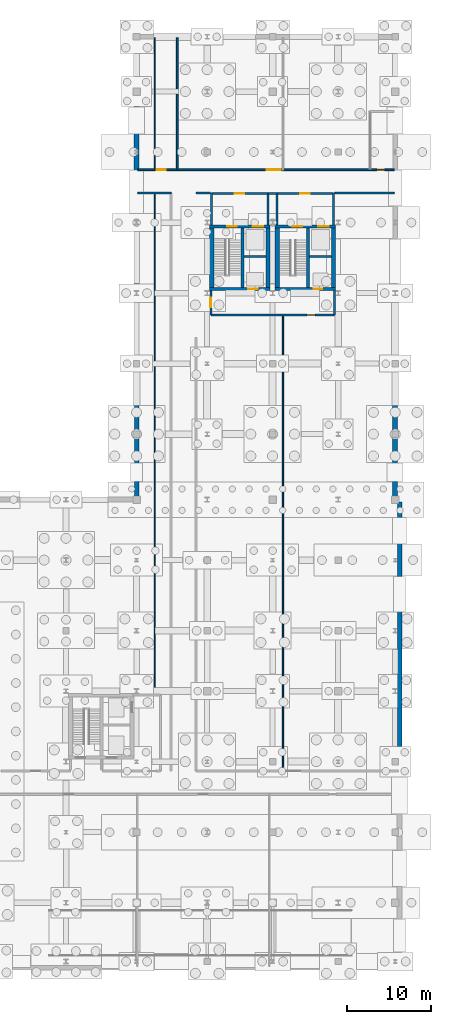
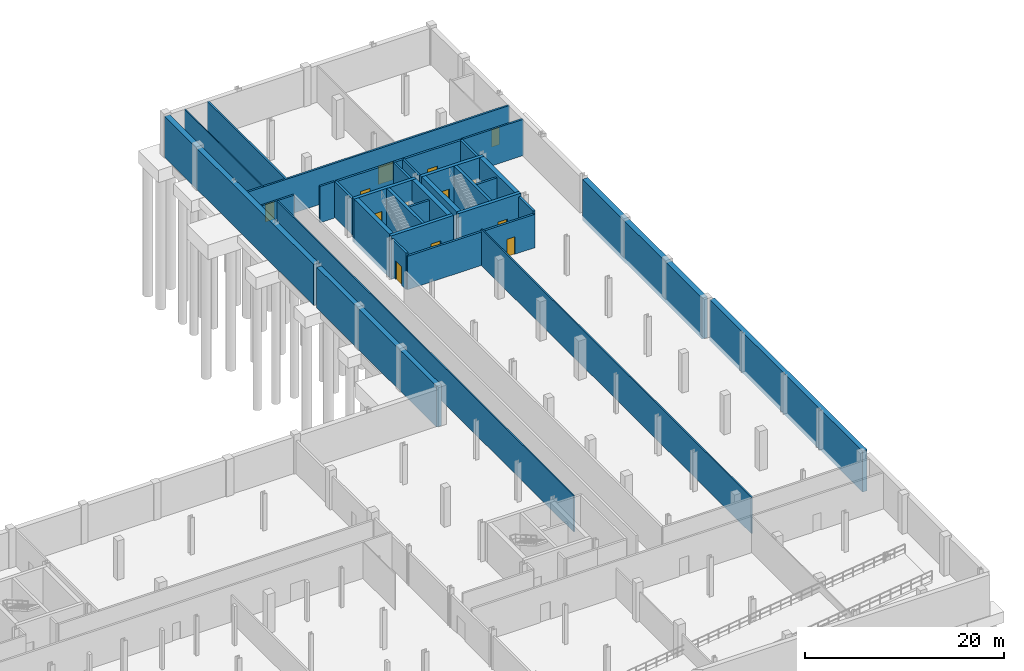
# One storey, part 26 of 32: 34 walls, 13 doors, 13 openings.
"""IFC4 building model written with IfcOpenShell, lengths in metres."""

from ifc_helpers import new_model, si_unit, direction, frame, frame_2d, origin_with_axes, place, context, subcontext, project, spatial, rectangle, extrude, material, layer, layer_set, type_object, element, fill, save


model = new_model("IFC4")

# Units and contexts
model_context = context("Model", 3, precision=1e-05, world=origin_with_axes(), true_north=direction((0.0, 1.0)))
body_context = subcontext(model_context, "Body", "Model", "MODEL_VIEW")
ifc_project = project(units=[si_unit("LENGTHUNIT", "METRE"), si_unit("AREAUNIT", "SQUARE_METRE"), si_unit("VOLUMEUNIT", "CUBIC_METRE"), si_unit("PLANEANGLEUNIT", "RADIAN"), si_unit("MASSUNIT", "GRAM", prefix="KILO"), si_unit("THERMODYNAMICTEMPERATUREUNIT", "KELVIN")], contexts=[model_context])

# Site, building, storey
site_placement = place(None, origin_with_axes())
site = spatial("IfcSite", under=ifc_project, at=site_placement, CompositionType="ELEMENT")
building_placement = place(site_placement, origin_with_axes())
building = spatial("IfcBuilding", under=site, at=building_placement, Name="Montbau Bow Law Courts", CompositionType="ELEMENT")
storey_placement = place(building_placement, frame((0.0, 0.0, -4.8), z_axis=(0.0, 0.0, 1.0), x_axis=(1.0, 0.0, 0.0)))
storey = spatial("IfcBuildingStorey", under=building, at=storey_placement, Name="B1", CompositionType="ELEMENT", Elevation=-4.8)

# Walls
ifc_material_1 = material(Name="Concrete CSA A23.1 f'c 45 MPa", Category="concrete")
ifc_layer_1 = layer(ifc_material_1, 0.5, Name="Shear Wall", Category="concrete")
ifc_layer_set_1 = layer_set([ifc_layer_1], Name="Concrete CSA A23.1 f'c 45 MPa")
wall_type_1 = type_object("IfcWallType", Name="W-COR-01", PredefinedType="SHEAR", material=ifc_layer_set_1)
for number, where, z_axis, x_axis, name in (
    (1, (154.26, 87.07, -5.35), (0.0, 0.0, 1.0), (0.0, 1.0, 0.0), "WC-B1-0261:wal_0328"),
    (2, (147.54, 94.13, -5.35), (0.0, 0.0, 1.0), (0.0, -1.0, 0.0), "WC-B1-0262:wal_0329"),
    (3, (162.06, 87.07, -5.35), (0.0, 0.0, 1.0), (0.0, 1.0, 0.0), "WC-B1-0379:wal_0446"),
    (4, (155.34, 94.13, -5.35), (0.0, 0.0, 1.0), (0.0, -1.0, 0.0), "WC-B1-0380:wal_0447"),
):
    element("IfcWall", number, at=place(None, frame(where, z_axis=z_axis, x_axis=x_axis)), inside=storey, type_object=wall_type_1, Name=name, PredefinedType="SHEAR", context=body_context, shape_type="SweptSolid", body=[
        extrude(rectangle(XDim=7.060000000000002, YDim=0.5, at=frame_2d((3.53, 0.0), x_axis=(1.0, 0.0))), origin_with_axes(), (0.0, 0.0, 1.0), 5.35),
    ])

# Wall, opening, door
ifc_layer_2 = layer(ifc_material_1, 0.38, Name="Shear Wall", Category="concrete")
ifc_layer_set_2 = layer_set([ifc_layer_2], Name="Concrete CSA A23.1 f'c 45 MPa")
wall_type_2 = type_object("IfcWallType", Name="W-COR-04", PredefinedType="SHEAR", material=ifc_layer_set_2)
wall_1_placement = place(None, frame((147.29, 86.88, -5.35), z_axis=(0.0, 0.0, 1.0), x_axis=(1.0, 0.0, 0.0)))
wall_1 = element("IfcWall", 5, at=wall_1_placement, inside=storey, type_object=wall_type_2, Name="WC-B1-0259:wal_0326", PredefinedType="SHEAR", context=body_context, shape_type="SweptSolid", body=[
    extrude(rectangle(XDim=7.219999999999999, YDim=0.38, at=frame_2d((3.61, 0.0), x_axis=(1.0, 0.0))), origin_with_axes(), (0.0, 0.0, 1.0), 5.35),
])
opening_1_placement = place(None, frame((152.45, 86.88, -4.8), z_axis=(0.0, 0.0, 1.0), x_axis=(1.0, 0.0, 0.0)))
opening_1 = element("IfcOpeningElement", 6, at=opening_1_placement, cuts=wall_1, Name="OP-LD-B1-EL-P4", PredefinedType="OPENING", context=body_context, shape_type="SweptSolid", body=[
    extrude(rectangle(XDim=1.16, YDim=2.2, at=frame_2d((0.0, 1.1), x_axis=(1.0, 0.0))), frame((0.0, 0.2, 0.0), z_axis=(0.0, -1.0, 0.0), x_axis=(1.0, 0.0, 0.0)), (0.0, 0.0, 1.0), 0.4),
])
ifc_material_2 = material(Name="Brushed Stainless Steel Elevator Landing Door", Category="steel")
door_type_1 = type_object("IfcDoorType", Name="LD-PUB-01", OperationType="NOTDEFINED", ParameterTakesPrecedence=False, PredefinedType="DOOR", material=ifc_material_2)
door_1_placement = place(None, frame((152.45, 86.88, -4.8), z_axis=(0.0, 0.0, 1.0), x_axis=(-1.0, 0.0, 0.0)))
door_1 = element("IfcDoor", 7, at=door_1_placement, inside=storey, type_object=door_type_1, Name="LD-B1-EL-P4:dor_0136", OperationType="SLIDING_TO_LEFT", OverallHeight=2.2, OverallWidth=1.16, PredefinedType="DOOR", context=body_context, shape_type="SweptSolid", body=[
    extrude(rectangle(XDim=1.16, YDim=2.2, at=frame_2d((0.0, 1.1), x_axis=(1.0, 0.0))), frame((0.0, 0.04, 0.0), z_axis=(0.0, -1.0, 0.0), x_axis=(1.0, 0.0, 0.0)), (0.0, 0.0, 1.0), 0.08),
])
fill(opening_1, door_1)

# Wall, openings, doors
wall_2_placement = place(None, frame((154.51, 94.32, -5.35), z_axis=(0.0, 0.0, 1.0), x_axis=(-1.0, 0.0, 0.0)))
wall_2 = element("IfcWall", 8, at=wall_2_placement, inside=storey, type_object=wall_type_2, Name="WC-B1-0260:wal_0327", PredefinedType="SHEAR", context=body_context, shape_type="SweptSolid", body=[
    extrude(rectangle(XDim=7.219999999999999, YDim=0.38, at=frame_2d((3.61, 0.0), x_axis=(1.0, 0.0))), origin_with_axes(), (0.0, 0.0, 1.0), 5.35),
])
opening_2_placement = place(None, frame((149.95, 94.32, -4.8), z_axis=(0.0, 0.0, 1.0), x_axis=(-1.0, 0.0, 0.0)))
opening_2 = element("IfcOpeningElement", 9, at=opening_2_placement, cuts=wall_2, Name="OP-D-B1-ST-P2", PredefinedType="OPENING", context=body_context, shape_type="SweptSolid", body=[
    extrude(rectangle(XDim=1.14, YDim=2.18, at=frame_2d((0.0, 1.09), x_axis=(1.0, 0.0))), frame((0.0, 0.2, 0.0), z_axis=(0.0, -1.0, 0.0), x_axis=(1.0, 0.0, 0.0)), (0.0, 0.0, 1.0), 0.4),
])
opening_3_placement = place(None, frame((153.05, 94.32, -4.8), z_axis=(0.0, 0.0, 1.0), x_axis=(-1.0, 0.0, 0.0)))
opening_3 = element("IfcOpeningElement", 10, at=opening_3_placement, cuts=wall_2, Name="OP-LD-B1-EL-FF1", PredefinedType="OPENING", context=body_context, shape_type="SweptSolid", body=[
    extrude(rectangle(XDim=1.22, YDim=2.28, at=frame_2d((0.0, 1.14), x_axis=(1.0, 0.0))), frame((0.0, 0.2, 0.0), z_axis=(0.0, -1.0, 0.0), x_axis=(1.0, 0.0, 0.0)), (0.0, 0.0, 1.0), 0.4),
])
ifc_material_3 = material(Name="1.5 h Fire-Rated Hollow-Metal Exit Stair Door", Category="steel")
door_type_2 = type_object("IfcDoorType", Name="D-ST-01", OperationType="NOTDEFINED", ParameterTakesPrecedence=False, PredefinedType="DOOR", material=ifc_material_3)
door_2_placement = place(None, frame((149.95, 94.32, -4.8), z_axis=(0.0, 0.0, 1.0), x_axis=(1.0, 0.0, 0.0)))
door_2 = element("IfcDoor", 11, at=door_2_placement, inside=storey, type_object=door_type_2, Name="D-B1-ST-P2:dor_0134", OperationType="SINGLE_SWING_RIGHT", OverallHeight=2.18, OverallWidth=1.14, PredefinedType="DOOR", context=body_context, shape_type="SweptSolid", body=[
    extrude(rectangle(XDim=1.14, YDim=2.18, at=frame_2d((0.0, 1.09), x_axis=(1.0, 0.0))), frame((0.0, 0.04, 0.0), z_axis=(0.0, -1.0, 0.0), x_axis=(1.0, 0.0, 0.0)), (0.0, 0.0, 1.0), 0.08),
])
fill(opening_2, door_2)
ifc_material_4 = material(Name="CSA B44 Firefighters Elevator Landing Door", Category="steel")
door_type_3 = type_object("IfcDoorType", Name="LD-FFE-01", OperationType="NOTDEFINED", ParameterTakesPrecedence=False, PredefinedType="DOOR", material=ifc_material_4)
door_3_placement = place(None, frame((153.05, 94.32, -4.8), z_axis=(0.0, 0.0, 1.0), x_axis=(1.0, 0.0, 0.0)))
door_3 = element("IfcDoor", 12, at=door_3_placement, inside=storey, type_object=door_type_3, Name="LD-B1-EL-FF1:dor_0135", OperationType="SLIDING_TO_LEFT", OverallHeight=2.28, OverallWidth=1.22, PredefinedType="DOOR", context=body_context, shape_type="SweptSolid", body=[
    extrude(rectangle(XDim=1.22, YDim=2.28, at=frame_2d((0.0, 1.14), x_axis=(1.0, 0.0))), frame((0.0, 0.04, 0.0), z_axis=(0.0, -1.0, 0.0), x_axis=(1.0, 0.0, 0.0)), (0.0, 0.0, 1.0), 0.08),
])
fill(opening_3, door_3)

# Wall, opening, door
wall_3_placement = place(None, frame((155.09, 86.88, -5.35), z_axis=(0.0, 0.0, 1.0), x_axis=(1.0, 0.0, 0.0)))
wall_3 = element("IfcWall", 13, at=wall_3_placement, inside=storey, type_object=wall_type_2, Name="WC-B1-0377:wal_0444", PredefinedType="SHEAR", context=body_context, shape_type="SweptSolid", body=[
    extrude(rectangle(XDim=7.219999999999999, YDim=0.38, at=frame_2d((3.61, 0.0), x_axis=(1.0, 0.0))), origin_with_axes(), (0.0, 0.0, 1.0), 5.35),
])
opening_4_placement = place(None, frame((160.2, 86.88, -4.8), z_axis=(0.0, 0.0, 1.0), x_axis=(1.0, 0.0, 0.0)))
opening_4 = element("IfcOpeningElement", 14, at=opening_4_placement, cuts=wall_3, Name="OP-LD-B1-EL-J2", PredefinedType="OPENING", context=body_context, shape_type="SweptSolid", body=[
    extrude(rectangle(XDim=1.06, YDim=2.16, at=frame_2d((0.0, 1.08), x_axis=(1.0, 0.0))), frame((0.0, 0.2, 0.0), z_axis=(0.0, -1.0, 0.0), x_axis=(1.0, 0.0, 0.0)), (0.0, 0.0, 1.0), 0.4),
])
ifc_material_5 = material(Name="Bronze-Clad Judicial Elevator Landing Door", Category="steel")
door_type_4 = type_object("IfcDoorType", Name="LD-JUD-01", OperationType="NOTDEFINED", ParameterTakesPrecedence=False, PredefinedType="DOOR", material=ifc_material_5)
door_4_placement = place(None, frame((160.2, 86.88, -4.8), z_axis=(0.0, 0.0, 1.0), x_axis=(-1.0, 0.0, 0.0)))
door_4 = element("IfcDoor", 15, at=door_4_placement, inside=storey, type_object=door_type_4, Name="LD-B1-EL-J2:dor_0179", OperationType="SLIDING_TO_LEFT", OverallHeight=2.16, OverallWidth=1.06, PredefinedType="DOOR", context=body_context, shape_type="SweptSolid", body=[
    extrude(rectangle(XDim=1.06, YDim=2.16, at=frame_2d((0.0, 1.08), x_axis=(1.0, 0.0))), frame((0.0, 0.04, 0.0), z_axis=(0.0, -1.0, 0.0), x_axis=(1.0, 0.0, 0.0)), (0.0, 0.0, 1.0), 0.08),
])
fill(opening_4, door_4)

# Wall, openings, doors
wall_4_placement = place(None, frame((162.31, 94.32, -5.35), z_axis=(0.0, 0.0, 1.0), x_axis=(-1.0, 0.0, 0.0)))
wall_4 = element("IfcWall", 16, at=wall_4_placement, inside=storey, type_object=wall_type_2, Name="WC-B1-0378:wal_0445", PredefinedType="SHEAR", context=body_context, shape_type="SweptSolid", body=[
    extrude(rectangle(XDim=7.219999999999999, YDim=0.38, at=frame_2d((3.61, 0.0), x_axis=(1.0, 0.0))), origin_with_axes(), (0.0, 0.0, 1.0), 5.35),
])
opening_5_placement = place(None, frame((157.75, 94.32, -4.8), z_axis=(0.0, 0.0, 1.0), x_axis=(-1.0, 0.0, 0.0)))
opening_5 = element("IfcOpeningElement", 17, at=opening_5_placement, cuts=wall_4, Name="OP-D-B1-ST-J2", PredefinedType="OPENING", context=body_context, shape_type="SweptSolid", body=[
    extrude(rectangle(XDim=1.14, YDim=2.18, at=frame_2d((0.0, 1.09), x_axis=(1.0, 0.0))), frame((0.0, 0.2, 0.0), z_axis=(0.0, -1.0, 0.0), x_axis=(1.0, 0.0, 0.0)), (0.0, 0.0, 1.0), 0.4),
])
opening_6_placement = place(None, frame((160.85, 94.32, -4.8), z_axis=(0.0, 0.0, 1.0), x_axis=(-1.0, 0.0, 0.0)))
opening_6 = element("IfcOpeningElement", 18, at=opening_6_placement, cuts=wall_4, Name="OP-LD-B1-EL-FF2", PredefinedType="OPENING", context=body_context, shape_type="SweptSolid", body=[
    extrude(rectangle(XDim=1.22, YDim=2.28, at=frame_2d((0.0, 1.14), x_axis=(1.0, 0.0))), frame((0.0, 0.2, 0.0), z_axis=(0.0, -1.0, 0.0), x_axis=(1.0, 0.0, 0.0)), (0.0, 0.0, 1.0), 0.4),
])
door_5_placement = place(None, frame((157.75, 94.32, -4.8), z_axis=(0.0, 0.0, 1.0), x_axis=(1.0, 0.0, 0.0)))
door_5 = element("IfcDoor", 19, at=door_5_placement, inside=storey, type_object=door_type_2, Name="D-B1-ST-J2:dor_0177", OperationType="SINGLE_SWING_LEFT", OverallHeight=2.18, OverallWidth=1.14, PredefinedType="DOOR", context=body_context, shape_type="SweptSolid", body=[
    extrude(rectangle(XDim=1.14, YDim=2.18, at=frame_2d((0.0, 1.09), x_axis=(1.0, 0.0))), frame((0.0, 0.04, 0.0), z_axis=(0.0, -1.0, 0.0), x_axis=(1.0, 0.0, 0.0)), (0.0, 0.0, 1.0), 0.08),
])
fill(opening_5, door_5)
door_6_placement = place(None, frame((160.85, 94.32, -4.8), z_axis=(0.0, 0.0, 1.0), x_axis=(1.0, 0.0, 0.0)))
door_6 = element("IfcDoor", 20, at=door_6_placement, inside=storey, type_object=door_type_3, Name="LD-B1-EL-FF2:dor_0178", OperationType="SLIDING_TO_LEFT", OverallHeight=2.28, OverallWidth=1.22, PredefinedType="DOOR", context=body_context, shape_type="SweptSolid", body=[
    extrude(rectangle(XDim=1.22, YDim=2.28, at=frame_2d((0.0, 1.14), x_axis=(1.0, 0.0))), frame((0.0, 0.04, 0.0), z_axis=(0.0, -1.0, 0.0), x_axis=(1.0, 0.0, 0.0)), (0.0, 0.0, 1.0), 0.08),
])
fill(opening_6, door_6)

# Walls
ifc_layer_3 = layer(ifc_material_1, 0.32, Name="Shear Wall", Category="concrete")
ifc_layer_set_3 = layer_set([ifc_layer_3], Name="Concrete CSA A23.1 f'c 45 MPa")
wall_type_3 = type_object("IfcWallType", Name="W-COR-05", PredefinedType="SHEAR", material=ifc_layer_set_3)
for number, where, z_axis, x_axis, name in (
    (21, (151.22, 87.07, -5.35), (0.0, 0.0, 1.0), (0.0, 1.0, 0.0), "WS-B1-0263:wal_0330"),
    (22, (159.02, 87.07, -5.35), (0.0, 0.0, 1.0), (0.0, 1.0, 0.0), "WS-B1-0381:wal_0448"),
):
    element("IfcWall", number, at=place(None, frame(where, z_axis=z_axis, x_axis=x_axis)), inside=storey, type_object=wall_type_3, Name=name, PredefinedType="SHEAR", context=body_context, shape_type="SweptSolid", body=[
        extrude(rectangle(XDim=7.060000000000002, YDim=0.32, at=frame_2d((3.53, 0.0), x_axis=(1.0, 0.0))), origin_with_axes(), (0.0, 0.0, 1.0), 5.35),
    ])
ifc_material_6 = material(Name="2 h Shaft and Exit-Passage Fire Separation Partition", Category="gypsum")
ifc_layer_4 = layer(ifc_material_6, 0.25, Name="Partition", Category="gypsum")
ifc_layer_set_4 = layer_set([ifc_layer_4], Name="2 h Shaft and Exit-Passage Fire Separation Partition")
wall_type_4 = type_object("IfcWallType", Name="W-PRT-01", PredefinedType="PARTITIONING", material=ifc_layer_set_4)
wall_5_placement = place(None, frame((151.38, 90.749, -4.8), z_axis=(0.0, 0.0, 1.0), x_axis=(1.0, 0.0, 0.0)))
element("IfcWall", 23, at=wall_5_placement, inside=storey, type_object=wall_type_4, Name="WS-B1-0264:wal_0331", PredefinedType="PARTITIONING", context=body_context, shape_type="SweptSolid", body=[
    extrude(rectangle(XDim=2.6299999999999955, YDim=0.25, at=frame_2d((1.315, 0.0), x_axis=(1.0, 0.0))), origin_with_axes(), (0.0, 0.0, 1.0), 4.44),
])

# Wall, opening, door
wall_6_placement = place(None, frame((154.26, 98.25, -4.8), z_axis=(0.0, 0.0, 1.0), x_axis=(-1.0, 0.0, 0.0)))
wall_6 = element("IfcWall", 24, at=wall_6_placement, inside=storey, type_object=wall_type_4, Name="WFF-B1-0265:wal_0332", PredefinedType="PARTITIONING", context=body_context, shape_type="SweptSolid", body=[
    extrude(rectangle(XDim=6.719999999999999, YDim=0.25, at=frame_2d((3.36, 0.0), x_axis=(1.0, 0.0))), origin_with_axes(), (0.0, 0.0, 1.0), 4.44),
])
opening_7_placement = place(None, frame((150.875, 98.25, -4.8), z_axis=(0.0, 0.0, 1.0), x_axis=(-1.0, 0.0, 0.0)))
opening_7 = element("IfcOpeningElement", 25, at=opening_7_placement, cuts=wall_6, Name="OP-D-B1-FFL5", PredefinedType="OPENING", context=body_context, shape_type="SweptSolid", body=[
    extrude(rectangle(XDim=1.15, YDim=2.25, at=frame_2d((0.0, 1.125), x_axis=(1.0, 0.0))), frame((0.0, 0.135, 0.0), z_axis=(0.0, -1.0, 0.0), x_axis=(1.0, 0.0, 0.0)), (0.0, 0.0, 1.0), 0.27),
])
ifc_material_7 = material(Name="1.5 h Smoke-Sealed Firefighters Lobby Door", Category="steel")
door_type_5 = type_object("IfcDoorType", Name="D-FFL-01", OperationType="NOTDEFINED", ParameterTakesPrecedence=False, PredefinedType="DOOR", material=ifc_material_7)
door_7_placement = place(None, frame((150.875, 98.25, -4.8), z_axis=(0.0, 0.0, 1.0), x_axis=(1.0, 0.0, 0.0)))
door_7 = element("IfcDoor", 26, at=door_7_placement, inside=storey, type_object=door_type_5, Name="D-B1-FFL5:dor_0137", OperationType="SINGLE_SWING_LEFT", OverallHeight=2.25, OverallWidth=1.15, PredefinedType="DOOR", context=body_context, shape_type="SweptSolid", body=[
    extrude(rectangle(XDim=1.15, YDim=2.25, at=frame_2d((0.0, 1.125), x_axis=(1.0, 0.0))), frame((0.0, 0.04, 0.0), z_axis=(0.0, -1.0, 0.0), x_axis=(1.0, 0.0, 0.0)), (0.0, 0.0, 1.0), 0.08),
])
fill(opening_7, door_7)

# Walls
for number, where, z_axis, x_axis, name in (
    (27, (147.54, 94.5, -4.8), (0.0, 0.0, 1.0), (0.0, 1.0, 0.0), "WFF-B1-0266:wal_0333"),
    (28, (154.26, 94.5, -4.8), (0.0, 0.0, 1.0), (0.0, 1.0, 0.0), "WFF-B1-0267:wal_0334"),
):
    element("IfcWall", number, at=place(None, frame(where, z_axis=z_axis, x_axis=x_axis)), inside=storey, type_object=wall_type_4, Name=name, PredefinedType="PARTITIONING", context=body_context, shape_type="SweptSolid", body=[
        extrude(rectangle(XDim=3.75, YDim=0.25, at=frame_2d((1.875, 0.0), x_axis=(1.0, 0.0))), origin_with_axes(), (0.0, 0.0, 1.0), 4.44),
    ])

# Wall, opening, door
wall_7_placement = place(None, frame((147.44, 83.78, -4.8), z_axis=(0.0, 0.0, 1.0), x_axis=(1.0, 0.0, 0.0)))
wall_7 = element("IfcWall", 29, at=wall_7_placement, inside=storey, type_object=wall_type_4, Name="WEL-B1-0268:wal_0335", PredefinedType="PARTITIONING", context=body_context, shape_type="SweptSolid", body=[
    extrude(rectangle(XDim=14.719999999999999, YDim=0.25, at=frame_2d((7.36, 0.0), x_axis=(1.0, 0.0))), origin_with_axes(), (0.0, 0.0, 1.0), 4.1),
])
opening_8_placement = place(None, frame((159.382, 83.78, -4.8), z_axis=(0.0, 0.0, 1.0), x_axis=(1.0, 0.0, 0.0)))
opening_8 = element("IfcOpeningElement", 30, at=opening_8_placement, cuts=wall_7, Name="OP-D-SEC-413", PredefinedType="OPENING", context=body_context, shape_type="SweptSolid", body=[
    extrude(rectangle(XDim=0.92, YDim=2.14, at=frame_2d((0.0, 1.07), x_axis=(1.0, 0.0))), frame((0.0, 0.135, 0.0), z_axis=(0.0, -1.0, 0.0), x_axis=(1.0, 0.0, 0.0)), (0.0, 0.0, 1.0), 0.27),
])
ifc_material_8 = material(Name="Judicial Law Clerk and Registry Office Oak Door", Category="wood")
door_type_6 = type_object("IfcDoorType", Name="D-OFF-01", OperationType="NOTDEFINED", ParameterTakesPrecedence=False, PredefinedType="DOOR", material=ifc_material_8)
door_8_placement = place(None, frame((159.382, 83.78, -4.8), z_axis=(0.0, 0.0, 1.0), x_axis=(1.0, 0.0, 0.0)))
door_8 = element("IfcDoor", 31, at=door_8_placement, inside=storey, type_object=door_type_6, Name="D-SEC-413:dor_0448", OperationType="SINGLE_SWING_RIGHT", OverallHeight=2.14, OverallWidth=0.92, PredefinedType="DOOR", context=body_context, shape_type="SweptSolid", body=[
    extrude(rectangle(XDim=0.92, YDim=2.14, at=frame_2d((0.0, 1.07), x_axis=(1.0, 0.0))), frame((0.0, 0.04, 0.0), z_axis=(0.0, -1.0, 0.0), x_axis=(1.0, 0.0, 0.0)), (0.0, 0.0, 1.0), 0.08),
])
fill(opening_8, door_8)

# Wall
wall_8_placement = place(None, frame((162.16, 83.78, -4.8), z_axis=(0.0, 0.0, 1.0), x_axis=(0.0, 1.0, 0.0)))
element("IfcWall", 32, at=wall_8_placement, inside=storey, type_object=wall_type_4, Name="WEL-B1-0269:wal_0336", PredefinedType="PARTITIONING", context=body_context, shape_type="SweptSolid", body=[
    extrude(rectangle(XDim=2.9200000000000017, YDim=0.25, at=frame_2d((1.46, 0.0), x_axis=(1.0, 0.0))), origin_with_axes(), (0.0, 0.0, 1.0), 4.44),
])

# Wall, opening, door
wall_9_placement = place(None, frame((147.44, 86.7, -4.8), z_axis=(0.0, 0.0, 1.0), x_axis=(0.0, -1.0, 0.0)))
wall_9 = element("IfcWall", 33, at=wall_9_placement, inside=storey, type_object=wall_type_4, Name="WEL-B1-0270:wal_0337", PredefinedType="PARTITIONING", context=body_context, shape_type="SweptSolid", body=[
    extrude(rectangle(XDim=2.9200000000000017, YDim=0.25, at=frame_2d((1.46, 0.0), x_axis=(1.0, 0.0))), origin_with_axes(), (0.0, 0.0, 1.0), 4.44),
])
opening_9_placement = place(None, frame((147.44, 85.275, -4.8), z_axis=(0.0, 0.0, 1.0), x_axis=(0.0, -1.0, 0.0)))
opening_9 = element("IfcOpeningElement", 34, at=opening_9_placement, cuts=wall_9, Name="OP-D-B1-ELB-NE", PredefinedType="OPENING", context=body_context, shape_type="SweptSolid", body=[
    extrude(rectangle(XDim=1.15, YDim=2.25, at=frame_2d((0.0, 1.125), x_axis=(1.0, 0.0))), frame((0.0, 0.135, 0.0), z_axis=(0.0, -1.0, 0.0), x_axis=(1.0, 0.0, 0.0)), (0.0, 0.0, 1.0), 0.27),
])
door_9_placement = place(None, frame((147.44, 85.275, -4.8), z_axis=(0.0, 0.0, 1.0), x_axis=(0.0, -1.0, 0.0)))
door_9 = element("IfcDoor", 35, at=door_9_placement, inside=storey, type_object=door_type_5, Name="D-B1-ELB-NE:dor_0138", OperationType="SINGLE_SWING_RIGHT", OverallHeight=2.25, OverallWidth=1.15, PredefinedType="DOOR", context=body_context, shape_type="SweptSolid", body=[
    extrude(rectangle(XDim=1.15, YDim=2.25, at=frame_2d((0.0, 1.125), x_axis=(1.0, 0.0))), frame((0.0, 0.04, 0.0), z_axis=(0.0, -1.0, 0.0), x_axis=(1.0, 0.0, 0.0)), (0.0, 0.0, 1.0), 0.08),
])
fill(opening_9, door_9)

# Wall
wall_10_placement = place(None, frame((159.18, 90.749, -4.8), z_axis=(0.0, 0.0, 1.0), x_axis=(1.0, 0.0, 0.0)))
element("IfcWall", 36, at=wall_10_placement, inside=storey, type_object=wall_type_4, Name="WS-B1-0382:wal_0449", PredefinedType="PARTITIONING", context=body_context, shape_type="SweptSolid", body=[
    extrude(rectangle(XDim=2.6299999999999955, YDim=0.25, at=frame_2d((1.315, 0.0), x_axis=(1.0, 0.0))), origin_with_axes(), (0.0, 0.0, 1.0), 4.44),
])

# Wall, opening, door
wall_11_placement = place(None, frame((162.06, 98.25, -4.8), z_axis=(0.0, 0.0, 1.0), x_axis=(-1.0, 0.0, 0.0)))
wall_11 = element("IfcWall", 37, at=wall_11_placement, inside=storey, type_object=wall_type_4, Name="WFF-B1-0383:wal_0450", PredefinedType="PARTITIONING", context=body_context, shape_type="SweptSolid", body=[
    extrude(rectangle(XDim=6.719999999999999, YDim=0.25, at=frame_2d((3.36, 0.0), x_axis=(1.0, 0.0))), origin_with_axes(), (0.0, 0.0, 1.0), 4.44),
])
opening_10_placement = place(None, frame((158.675, 98.25, -4.8), z_axis=(0.0, 0.0, 1.0), x_axis=(-1.0, 0.0, 0.0)))
opening_10 = element("IfcOpeningElement", 38, at=opening_10_placement, cuts=wall_11, Name="OP-D-B1-FFL6", PredefinedType="OPENING", context=body_context, shape_type="SweptSolid", body=[
    extrude(rectangle(XDim=1.15, YDim=2.25, at=frame_2d((0.0, 1.125), x_axis=(1.0, 0.0))), frame((0.0, 0.135, 0.0), z_axis=(0.0, -1.0, 0.0), x_axis=(1.0, 0.0, 0.0)), (0.0, 0.0, 1.0), 0.27),
])
door_10_placement = place(None, frame((158.675, 98.25, -4.8), z_axis=(0.0, 0.0, 1.0), x_axis=(1.0, 0.0, 0.0)))
door_10 = element("IfcDoor", 39, at=door_10_placement, inside=storey, type_object=door_type_5, Name="D-B1-FFL6:dor_0180", OperationType="SINGLE_SWING_RIGHT", OverallHeight=2.25, OverallWidth=1.15, PredefinedType="DOOR", context=body_context, shape_type="SweptSolid", body=[
    extrude(rectangle(XDim=1.15, YDim=2.25, at=frame_2d((0.0, 1.125), x_axis=(1.0, 0.0))), frame((0.0, 0.04, 0.0), z_axis=(0.0, -1.0, 0.0), x_axis=(1.0, 0.0, 0.0)), (0.0, 0.0, 1.0), 0.08),
])
fill(opening_10, door_10)

# Walls
for number, where, z_axis, x_axis, name in (
    (40, (155.34, 94.5, -4.8), (0.0, 0.0, 1.0), (0.0, 1.0, 0.0), "WFF-B1-0384:wal_0451"),
    (41, (162.06, 94.5, -4.8), (0.0, 0.0, 1.0), (0.0, 1.0, 0.0), "WFF-B1-0385:wal_0452"),
):
    element("IfcWall", number, at=place(None, frame(where, z_axis=z_axis, x_axis=x_axis)), inside=storey, type_object=wall_type_4, Name=name, PredefinedType="PARTITIONING", context=body_context, shape_type="SweptSolid", body=[
        extrude(rectangle(XDim=3.75, YDim=0.25, at=frame_2d((1.875, 0.0), x_axis=(1.0, 0.0))), origin_with_axes(), (0.0, 0.0, 1.0), 4.44),
    ])
wall_12_placement = place(None, frame((154.26, 98.25, -4.8), z_axis=(0.0, 0.0, 1.0), x_axis=(1.0, 0.0, 0.0)))
element("IfcWall", 42, at=wall_12_placement, inside=storey, type_object=wall_type_4, Name="WFF-B1-0543:wal_0610", PredefinedType="PARTITIONING", context=body_context, shape_type="SweptSolid", body=[
    extrude(rectangle(XDim=1.0800000000000125, YDim=0.25, at=frame_2d((0.54, 0.0), x_axis=(1.0, 0.0))), origin_with_axes(), (0.0, 0.0, 1.0), 4.44),
])
ifc_material_9 = material(Name="STC-60 High-Acoustic Courtroom Perimeter Partition", Category="gypsum")
ifc_layer_5 = layer(ifc_material_9, 0.22, Name="Partition", Category="gypsum")
ifc_layer_set_5 = layer_set([ifc_layer_5], Name="STC-60 High-Acoustic Courtroom Perimeter Partition")
wall_type_5 = type_object("IfcWallType", Name="W-PRT-02", PredefinedType="PARTITIONING", material=ifc_layer_set_5)
wall_13_placement = place(None, frame((138.74, 98.31, -4.8), z_axis=(0.0, 0.0, 1.0), x_axis=(1.0, 0.0, 0.0)))
element("IfcWall", 43, at=wall_13_placement, inside=storey, type_object=wall_type_5, Name="WP-B1-0596:wal_0663", PredefinedType="PARTITIONING", context=body_context, shape_type="SweptSolid", body=[
    extrude(rectangle(XDim=3.9599999999999795, YDim=0.22, at=frame_2d((1.98, 0.0), x_axis=(1.0, 0.0))), origin_with_axes(), (0.0, 0.0, 1.0), 4.44),
])
wall_14_placement = place(None, frame((145.7, 98.31, -4.8), z_axis=(0.0, 0.0, 1.0), x_axis=(1.0, 0.0, 0.0)))
element("IfcWall", 44, at=wall_14_placement, inside=storey, type_object=wall_type_5, Name="WP-B1-0597:wal_0664", PredefinedType="PARTITIONING", context=body_context, shape_type="SweptSolid", body=[
    extrude(rectangle(XDim=1.6800000000000068, YDim=0.22, at=frame_2d((0.84, 0.0), x_axis=(1.0, 0.0))), origin_with_axes(), (0.0, 0.0, 1.0), 4.44),
])
wall_15_placement = place(None, frame((162.22, 98.31, -4.8), z_axis=(0.0, 0.0, 1.0), x_axis=(1.0, 0.0, 0.0)))
element("IfcWall", 45, at=wall_15_placement, inside=storey, type_object=wall_type_5, Name="WP-B1-0598:wal_0665", PredefinedType="PARTITIONING", context=body_context, shape_type="SweptSolid", body=[
    extrude(rectangle(XDim=7.039999999999992, YDim=0.22, at=frame_2d((3.52, 0.0), x_axis=(1.0, 0.0))), origin_with_axes(), (0.0, 0.0, 1.0), 4.44),
])

# Wall, openings, doors
wall_16_placement = place(None, frame((138.74, 101.09, -4.8), z_axis=(0.0, 0.0, 1.0), x_axis=(1.0, 0.0, 0.0)))
wall_16 = element("IfcWall", 46, at=wall_16_placement, inside=storey, type_object=wall_type_5, Name="WP-B1-0599:wal_0666", PredefinedType="PARTITIONING", context=body_context, shape_type="SweptSolid", body=[
    extrude(rectangle(XDim=30.519999999999982, YDim=0.22, at=frame_2d((15.26, 0.0), x_axis=(1.0, 0.0))), origin_with_axes(), (0.0, 0.0, 1.0), 4.44),
])
opening_11_placement = place(None, frame((141.553, 101.09, -4.8), z_axis=(0.0, 0.0, 1.0), x_axis=(1.0, 0.0, 0.0)))
opening_11 = element("IfcOpeningElement", 47, at=opening_11_placement, cuts=wall_16, Name="OP-D-B1-221", PredefinedType="OPENING", context=body_context, shape_type="SweptSolid", body=[
    extrude(rectangle(XDim=1.05, YDim=2.15, at=frame_2d((0.0, 1.075), x_axis=(1.0, 0.0))), frame((0.0, 0.12, 0.0), z_axis=(0.0, -1.0, 0.0), x_axis=(1.0, 0.0, 0.0)), (0.0, 0.0, 1.0), 0.24),
])
opening_12_placement = place(None, frame((154.926, 101.09, -4.8), z_axis=(0.0, 0.0, 1.0), x_axis=(1.0, 0.0, 0.0)))
opening_12 = element("IfcOpeningElement", 48, at=opening_12_placement, cuts=wall_16, Name="OP-D-B1-222", PredefinedType="OPENING", context=body_context, shape_type="SweptSolid", body=[
    extrude(rectangle(XDim=1.68, YDim=2.22, at=frame_2d((0.0, 1.11), x_axis=(1.0, 0.0))), frame((0.0, 0.12, 0.0), z_axis=(0.0, -1.0, 0.0), x_axis=(1.0, 0.0, 0.0)), (0.0, 0.0, 1.0), 0.24),
])
opening_13_placement = place(None, frame((167.673, 101.09, -4.8), z_axis=(0.0, 0.0, 1.0), x_axis=(1.0, 0.0, 0.0)))
opening_13 = element("IfcOpeningElement", 49, at=opening_13_placement, cuts=wall_16, Name="OP-D-B1-224", PredefinedType="OPENING", context=body_context, shape_type="SweptSolid", body=[
    extrude(rectangle(XDim=0.91, YDim=2.12, at=frame_2d((0.0, 1.06), x_axis=(1.0, 0.0))), frame((0.0, 0.12, 0.0), z_axis=(0.0, -1.0, 0.0), x_axis=(1.0, 0.0, 0.0)), (0.0, 0.0, 1.0), 0.24),
])
ifc_material_10 = material(Name="2 h Evidence Vault and Court Archive Fire Door", Category="steel")
door_type_7 = type_object("IfcDoorType", Name="D-ARC-01", OperationType="NOTDEFINED", ParameterTakesPrecedence=False, PredefinedType="DOOR", material=ifc_material_10)
door_11_placement = place(None, frame((154.926, 101.09, -4.8), z_axis=(0.0, 0.0, 1.0), x_axis=(-1.0, 0.0, 0.0)))
door_11 = element("IfcDoor", 50, at=door_11_placement, inside=storey, type_object=door_type_7, Name="D-B1-222:dor_0257", OperationType="DOUBLE_DOOR_SINGLE_SWING", OverallHeight=2.22, OverallWidth=1.68, PredefinedType="DOOR", context=body_context, shape_type="SweptSolid", body=[
    extrude(rectangle(XDim=1.68, YDim=2.22, at=frame_2d((0.0, 1.11), x_axis=(1.0, 0.0))), frame((0.0, 0.04, 0.0), z_axis=(0.0, -1.0, 0.0), x_axis=(1.0, 0.0, 0.0)), (0.0, 0.0, 1.0), 0.08),
])
fill(opening_12, door_11)
ifc_material_11 = material(Name="1.5 h Fire Command Room Hollow-Metal Door", Category="steel")
door_type_8 = type_object("IfcDoorType", Name="D-FCC-01", OperationType="NOTDEFINED", ParameterTakesPrecedence=False, PredefinedType="DOOR", material=ifc_material_11)
door_12_placement = place(None, frame((141.553, 101.09, -4.8), z_axis=(0.0, 0.0, 1.0), x_axis=(-1.0, 0.0, 0.0)))
door_12 = element("IfcDoor", 51, at=door_12_placement, inside=storey, type_object=door_type_8, Name="D-B1-221:dor_0256", OperationType="SINGLE_SWING_LEFT", OverallHeight=2.15, OverallWidth=1.05, PredefinedType="DOOR", context=body_context, shape_type="SweptSolid", body=[
    extrude(rectangle(XDim=1.05, YDim=2.15, at=frame_2d((0.0, 1.075), x_axis=(1.0, 0.0))), frame((0.0, 0.04, 0.0), z_axis=(0.0, -1.0, 0.0), x_axis=(1.0, 0.0, 0.0)), (0.0, 0.0, 1.0), 0.08),
])
fill(opening_11, door_12)
ifc_material_12 = material(Name="Public and Judicial Washroom Solid-Core Door", Category="wood")
door_type_9 = type_object("IfcDoorType", Name="D-WC-02", OperationType="NOTDEFINED", ParameterTakesPrecedence=False, PredefinedType="DOOR", material=ifc_material_12)
door_13_placement = place(None, frame((167.673, 101.09, -4.8), z_axis=(0.0, 0.0, 1.0), x_axis=(-1.0, 0.0, 0.0)))
door_13 = element("IfcDoor", 52, at=door_13_placement, inside=storey, type_object=door_type_9, Name="D-B1-224:dor_0259", OperationType="SINGLE_SWING_RIGHT", OverallHeight=2.12, OverallWidth=0.91, PredefinedType="DOOR", context=body_context, shape_type="SweptSolid", body=[
    extrude(rectangle(XDim=0.91, YDim=2.12, at=frame_2d((0.0, 1.06), x_axis=(1.0, 0.0))), frame((0.0, 0.04, 0.0), z_axis=(0.0, -1.0, 0.0), x_axis=(1.0, 0.0, 0.0)), (0.0, 0.0, 1.0), 0.08),
])
fill(opening_13, door_13)

# Walls
ifc_material_13 = material(Name="STC-55 Jury Deliberation Security Partition", Category="gypsum")
ifc_layer_6 = layer(ifc_material_13, 0.2, Name="Partition", Category="gypsum")
ifc_layer_set_6 = layer_set([ifc_layer_6], Name="STC-55 Jury Deliberation Security Partition")
wall_type_6 = type_object("IfcWallType", Name="W-PRT-03", PredefinedType="PARTITIONING", material=ifc_layer_set_6)
wall_17_placement = place(None, frame((143.442, 101.0, -4.8), z_axis=(0.0, 0.0, 1.0), x_axis=(0.0, 1.0, 0.0)))
element("IfcWall", 53, at=wall_17_placement, inside=storey, type_object=wall_type_6, Name="WD-B1-0604:wal_0671", PredefinedType="PARTITIONING", context=body_context, shape_type="SweptSolid", body=[
    extrude(rectangle(XDim=15.780000000000001, YDim=0.2, at=frame_2d((7.89, 0.0), x_axis=(1.0, 0.0))), origin_with_axes(), (0.0, 0.0, 1.0), 4.44),
])
ifc_material_14 = material(Name="STC-52 Judicial Chambers Acoustic Partition", Category="gypsum")
ifc_layer_7 = layer(ifc_material_14, 0.16, Name="Partition", Category="gypsum")
ifc_layer_set_7 = layer_set([ifc_layer_7], Name="STC-52 Judicial Chambers Acoustic Partition")
wall_type_7 = type_object("IfcWallType", Name="W-PRT-05", PredefinedType="PARTITIONING", material=ifc_layer_set_7)
wall_18_placement = place(None, frame((156.04, 29.49, -4.8), z_axis=(0.0, 0.0, 1.0), x_axis=(0.0, 1.0, 0.0)))
element("IfcWall", 54, at=wall_18_placement, inside=storey, type_object=wall_type_7, Name="WD-B1-0605:wal_0672", PredefinedType="PARTITIONING", context=body_context, shape_type="SweptSolid", body=[
    extrude(rectangle(XDim=54.17, YDim=0.16, at=frame_2d((27.085, 0.0), x_axis=(1.0, 0.0))), origin_with_axes(), (0.0, 0.0, 1.0), 4.44),
])
ifc_material_15 = material(Name="1 h Registry Office Steel-Stud Fire Partition", Category="gypsum")
ifc_layer_8 = layer(ifc_material_15, 0.14, Name="Partition", Category="gypsum")
ifc_layer_set_8 = layer_set([ifc_layer_8], Name="1 h Registry Office Steel-Stud Fire Partition")
wall_type_8 = type_object("IfcWallType", Name="W-PRT-06", PredefinedType="PARTITIONING", material=ifc_layer_set_8)
wall_19_placement = place(None, frame((140.745, 38.64, -4.8), z_axis=(0.0, 0.0, 1.0), x_axis=(0.0, 1.0, 0.0)))
element("IfcWall", 55, at=wall_19_placement, inside=storey, type_object=wall_type_8, Name="WD-B1-0602:wal_0669", PredefinedType="PARTITIONING", context=body_context, shape_type="SweptSolid", body=[
    extrude(rectangle(XDim=59.760000000000005, YDim=0.14, at=frame_2d((29.88, 0.0), x_axis=(1.0, 0.0))), origin_with_axes(), (0.0, 0.0, 1.0), 4.44),
])
ifc_material_16 = material(Name="1 h Interior Demising Acoustic Stud Partition", Category="gypsum")
ifc_layer_9 = layer(ifc_material_16, 0.12, Name="Partition", Category="gypsum")
ifc_layer_set_9 = layer_set([ifc_layer_9], Name="1 h Interior Demising Acoustic Stud Partition")
wall_type_9 = type_object("IfcWallType", Name="W-PRT-07", PredefinedType="PARTITIONING", material=ifc_layer_set_9)
wall_20_placement = place(None, frame((140.745, 101.0, -4.8), z_axis=(0.0, 0.0, 1.0), x_axis=(0.0, 1.0, 0.0)))
element("IfcWall", 56, at=wall_20_placement, inside=storey, type_object=wall_type_9, Name="WD-B1-0603:wal_0670", PredefinedType="PARTITIONING", context=body_context, shape_type="SweptSolid", body=[
    extrude(rectangle(XDim=15.780000000000001, YDim=0.12, at=frame_2d((7.89, 0.0), x_axis=(1.0, 0.0))), origin_with_axes(), (0.0, 0.0, 1.0), 4.44),
])
ifc_material_17 = material(Name="Concrete CSA A23.1 f'c 40 MPa", Category="concrete")
ifc_layer_10 = layer(ifc_material_17, 0.55, Name="Retaining Wall", Category="concrete")
ifc_layer_set_10 = layer_set([ifc_layer_10], Name="Concrete CSA A23.1 f'c 40 MPa")
wall_type_10 = type_object("IfcWallType", Name="W-RET-01", PredefinedType="USERDEFINED", material=ifc_layer_set_10)
wall_21_placement = place(None, frame((169.92, 30.88, -5.35), z_axis=(0.0, 0.0, 1.0), x_axis=(0.0, 1.0, 0.0)))
element("IfcWall", 57, at=wall_21_placement, inside=storey, type_object=wall_type_10, Name="WR-B1-05:wal_0005", ObjectType="RETAININGWALL", PredefinedType="USERDEFINED", context=body_context, shape_type="SweptSolid", body=[
    extrude(rectangle(XDim=30.640000000000004, YDim=0.55, at=frame_2d((15.32, 0.0), x_axis=(1.0, 0.0))), origin_with_axes(), (0.0, 0.0, 1.0), 5.01),
])
wall_22_placement = place(None, frame((138.6, 86.12, -5.35), z_axis=(0.0, 0.0, 1.0), x_axis=(0.0, -1.0, 0.0)))
element("IfcWall", 58, at=wall_22_placement, inside=storey, type_object=wall_type_10, Name="WR-B1-11:wal_0011", ObjectType="RETAININGWALL", PredefinedType="USERDEFINED", context=body_context, shape_type="SweptSolid", body=[
    extrude(rectangle(XDim=24.040000000000006, YDim=0.55, at=frame_2d((12.02, 0.0), x_axis=(1.0, 0.0))), origin_with_axes(), (0.0, 0.0, 1.0), 5.01),
])
ifc_layer_11 = layer(ifc_material_17, 0.6, Name="Retaining Wall", Category="concrete")
ifc_layer_set_11 = layer_set([ifc_layer_11], Name="Concrete CSA A23.1 f'c 40 MPa")
wall_type_11 = type_object("IfcWallType", Name="W-RET-02", PredefinedType="USERDEFINED", material=ifc_layer_set_11)
wall_23_placement = place(None, frame((169.4, 62.08, -5.35), z_axis=(0.0, 0.0, 1.0), x_axis=(0.0, 1.0, 0.0)))
element("IfcWall", 59, at=wall_23_placement, inside=storey, type_object=wall_type_11, Name="WR-B1-06:wal_0006", ObjectType="RETAININGWALL", PredefinedType="USERDEFINED", context=body_context, shape_type="SweptSolid", body=[
    extrude(rectangle(XDim=24.040000000000006, YDim=0.6, at=frame_2d((12.02, 0.0), x_axis=(1.0, 0.0))), origin_with_axes(), (0.0, 0.0, 1.0), 5.01),
])
wall_24_placement = place(None, frame((138.6, 116.64, -5.35), z_axis=(0.0, 0.0, 1.0), x_axis=(0.0, -1.0, 0.0)))
element("IfcWall", 60, at=wall_24_placement, inside=storey, type_object=wall_type_11, Name="WR-B1-10:wal_0010", ObjectType="RETAININGWALL", PredefinedType="USERDEFINED", context=body_context, shape_type="SweptSolid", body=[
    extrude(rectangle(XDim=29.959999999999994, YDim=0.6, at=frame_2d((14.98, 0.0), x_axis=(1.0, 0.0))), origin_with_axes(), (0.0, 0.0, 1.0), 5.01),
])

save(model, "model.ifc")
